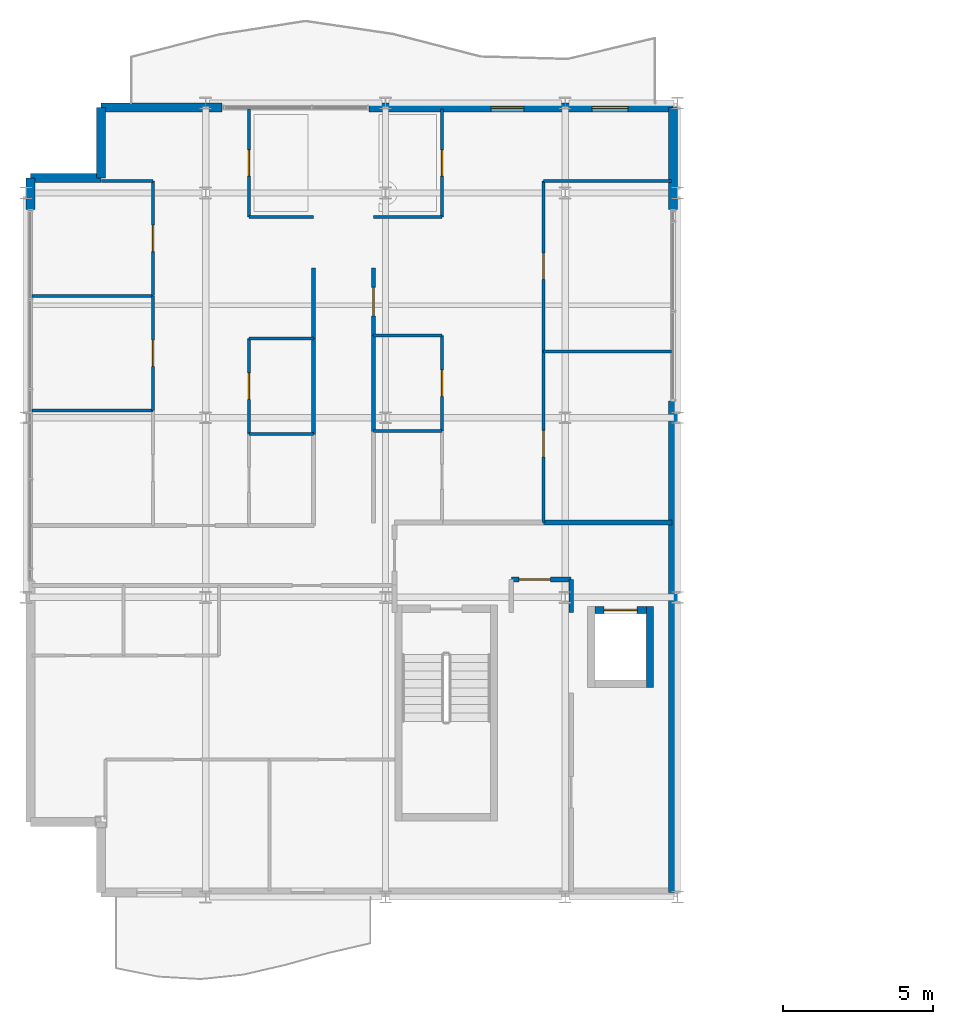
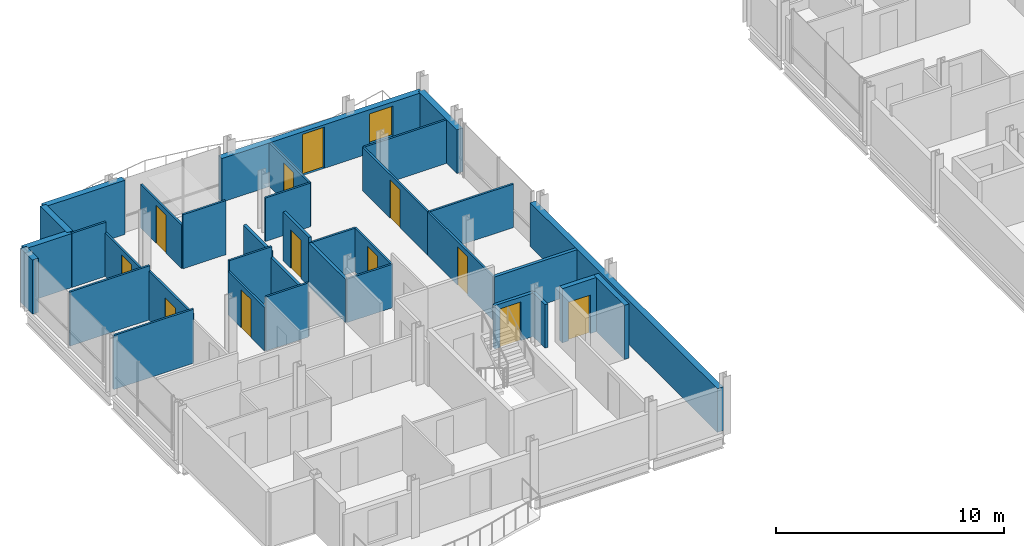
# One storey, part 23 of 27: 35 walls, 12 doors, 1 window, 13 openings.
"""IFC4 building model written with IfcOpenShell, lengths in metres."""

from ifc_helpers import new_model, si_unit, direction, frame, frame_2d, origin, place, context, subcontext, project, spatial, rectangle, extrude, material, layer, layer_set, type_object, element, fill, save


model = new_model("IFC4")

# Units and contexts
model_context = context("Model", 3, precision=1e-05, world=origin(), true_north=direction((0.0, 1.0)))
body_context = subcontext(model_context, "Body", "Model", "MODEL_VIEW")
ifc_project = project(units=[si_unit("LENGTHUNIT", "METRE"), si_unit("AREAUNIT", "SQUARE_METRE"), si_unit("VOLUMEUNIT", "CUBIC_METRE"), si_unit("PLANEANGLEUNIT", "RADIAN"), si_unit("MASSUNIT", "GRAM", prefix="KILO")], contexts=[model_context])

# Site, building, storey
site_placement = place(None, origin())
site = spatial("IfcSite", under=ifc_project, at=site_placement, CompositionType="ELEMENT")
building_placement = place(site_placement, origin())
building = spatial("IfcBuilding", under=site, at=building_placement, Name="Brevholm Reach", CompositionType="ELEMENT")
storey_placement = place(building_placement, frame((0.0, 0.0, 195.60009765625)))
storey = spatial("IfcBuildingStorey", under=building, at=storey_placement, Name="L59", CompositionType="ELEMENT", Elevation=195.60009765625)

# Wall
ifc_material_1 = material(Name="Concrete C45/55", Category="concrete")
ifc_layer_1 = layer(ifc_material_1, 0.239990234375)
ifc_layer_set_1 = layer_set([ifc_layer_1], Name="Concrete C45/55")
wall_type_1 = type_object("IfcWallType", Name="WAL-COR-240", PredefinedType="SHEAR", material=ifc_layer_set_1)
wall_1_placement = place(storey_placement, frame((20.830078125, 7.0, 0.0), z_axis=(0.0, 0.0, 1.0), x_axis=(0.0, 1.0, 0.0)))
element("IfcWall", 1, at=wall_1_placement, inside=storey, type_object=wall_type_1, Name="L59 Lift FFL-1 Shaft Wall E", PredefinedType="SHEAR", context=body_context, shape_type="SweptSolid", body=[
    extrude(rectangle(XDim=2.699951171875, YDim=0.239990234375, at=frame_2d((1.35009765625, 0.0))), origin(), (0.0, 0.0, 1.0), 2.889892578125),
])

# Wall, opening, door
wall_2_placement = place(storey_placement, frame((18.989990234375, 9.580078125, 0.0), z_axis=(0.0, 0.0, 1.0), x_axis=(1.0, 0.0, 0.0)))
wall_2 = element("IfcWall", 2, at=wall_2_placement, inside=storey, type_object=wall_type_1, Name="L59 Lift FFL-1 Shaft Wall N", PredefinedType="SHEAR", context=body_context, shape_type="SweptSolid", body=[
    extrude(rectangle(XDim=1.719970703125, YDim=0.239990234375, at=frame_2d((0.85986328125, 0.0))), origin(), (0.0, 0.0, 1.0), 2.889892578125),
])
opening_1_placement = place(wall_2_placement, frame((0.31005859375, 0.0, 0.0)))
opening_1 = element("IfcOpeningElement", 3, at=opening_1_placement, cuts=wall_2, Name="Opening LD-FFL-1", PredefinedType="OPENING", context=body_context, shape_type="SweptSolid", body=[
    extrude(rectangle(XDim=1.10009765625, YDim=2.06005859375, at=frame_2d((0.550048828125, 1.030029296875))), frame((0.0, 0.1298828125, 0.0), z_axis=(0.0, -1.0, 0.0), x_axis=(1.0, 0.0, 0.0)), (0.0, 0.0, 1.0), 0.260009765625),
])
ifc_material_2 = material(Name="Brushed Stainless Steel Fire-Rated Sliding Lift Door", Category="steel")
door_type_1 = type_object("IfcDoorType", Name="DOR-LFT-1100", OperationType="NOTDEFINED", PredefinedType="DOOR", material=ifc_material_2)
door_1_placement = place(opening_1_placement, origin())
door_1 = element("IfcDoor", 4, at=door_1_placement, inside=storey, type_object=door_type_1, Name="L59 Lift FFL-1 Sliding Landing Door", OperationType="SLIDING_TO_LEFT", OverallHeight=2.06005859375, OverallWidth=1.10009765625, PredefinedType="DOOR", context=body_context, shape_type="SweptSolid", body=[
    extrude(rectangle(XDim=1.10009765625, YDim=2.06005859375, at=frame_2d((0.550048828125, 1.030029296875))), frame((0.0, 0.02490234375, 0.0), z_axis=(0.0, -1.0, 0.0), x_axis=(1.0, 0.0, 0.0)), (0.0, 0.0, 1.0), 0.050048828125),
])
fill(opening_1, door_1)

# Walls
ifc_material_3 = material(Name="Concrete C40/50", Category="concrete")
ifc_layer_2 = layer(ifc_material_3, 0.300048828125)
ifc_layer_set_2 = layer_set([ifc_layer_2], Name="Concrete C40/50")
wall_type_2 = type_object("IfcWallType", Name="WAL-EXT-300", PredefinedType="STANDARD", material=ifc_layer_set_2)
for number, where, z_axis, x_axis, name in (
    (5, (2.5, 26.35009765625, 0.0), (0.0, 0.0, 1.0), (0.0, -1.0, 0.0), "L59 Facade Wall WAL-L59-WW-CNW1"),
    (6, (2.5, 24.0, 0.0), (0.0, 0.0, 1.0), (-1.0, 0.0, 0.0), "L59 Facade Wall WAL-L59-WW-CNW2"),
):
    element("IfcWall", number, at=place(storey_placement, frame(where, z_axis=z_axis, x_axis=x_axis)), inside=storey, type_object=wall_type_2, Name=name, PredefinedType="STANDARD", context=body_context, shape_type="SweptSolid", body=[
        extrude(rectangle(XDim=2.35009765625, YDim=0.300048828125, at=frame_2d((1.175048828125, 0.0))), origin(), (0.0, 0.0, 1.0), 2.889892578125),
    ])
wall_3_placement = place(storey_placement, frame((0.14990234375, 24.0, 0.0), z_axis=(0.0, 0.0, 1.0), x_axis=(0.0, -1.0, 0.0)))
element("IfcWall", 7, at=wall_3_placement, inside=storey, type_object=wall_type_2, Name="L59 Facade Wall WAL-L59-WW-WN", PredefinedType="STANDARD", context=body_context, shape_type="SweptSolid", body=[
    extrude(rectangle(XDim=1.050048828125, YDim=0.300048828125, at=frame_2d((0.52490234375, 0.0))), origin(), (0.0, 0.0, 1.0), 2.889892578125),
])
wall_4_placement = place(storey_placement, frame((2.5, 26.35009765625, 0.0), z_axis=(0.0, 0.0, 1.0), x_axis=(1.0, 0.0, 0.0)))
element("IfcWall", 8, at=wall_4_placement, inside=storey, type_object=wall_type_2, Name="L59 Facade Wall WAL-L59-WW-NP1", PredefinedType="STANDARD", context=body_context, shape_type="SweptSolid", body=[
    extrude(rectangle(XDim=4.050048828125, YDim=0.300048828125, at=frame_2d((2.02490234375, 0.0))), origin(), (0.0, 0.0, 1.0), 2.889892578125),
])

# Wall, openings, door, window
wall_5_placement = place(storey_placement, frame((11.449951171875, 26.35009765625, 0.0), z_axis=(0.0, 0.0, 1.0), x_axis=(1.0, 0.0, 0.0)))
wall_5 = element("IfcWall", 9, at=wall_5_placement, inside=storey, type_object=wall_type_2, Name="L59 Facade Wall WAL-L59-WW-NP2", PredefinedType="STANDARD", context=body_context, shape_type="SweptSolid", body=[
    extrude(rectangle(XDim=10.150146484375, YDim=0.300048828125, at=frame_2d((5.0751953125, 0.0))), origin(), (0.0, 0.0, 1.0), 2.331787109375),
])
opening_2_placement = place(wall_5_placement, frame((4.073974609375, 0.0, 0.0)))
opening_2 = element("IfcOpeningElement", 10, at=opening_2_placement, cuts=wall_5, Name="Opening BD-01", PredefinedType="OPENING", context=body_context, shape_type="SweptSolid", body=[
    extrude(rectangle(XDim=1.10009765625, YDim=2.199951171875, at=frame_2d((0.550048828125, 1.10009765625))), frame((0.0, 0.159912109375, 0.0), z_axis=(0.0, -1.0, 0.0), x_axis=(1.0, 0.0, 0.0)), (0.0, 0.0, 1.0), 0.320068359375),
])
opening_3_placement = place(wall_5_placement, frame((7.449951171875, 0.0, 0.511962890625)))
opening_3 = element("IfcOpeningElement", 11, at=opening_3_placement, cuts=wall_5, Name="Opening WN-08", PredefinedType="OPENING", context=body_context, shape_type="SweptSolid", body=[
    extrude(rectangle(XDim=1.199951171875, YDim=1.60009765625, at=frame_2d((0.60009765625, 0.800048828125))), frame((0.0, 0.159912109375, 0.0), z_axis=(0.0, -1.0, 0.0), x_axis=(1.0, 0.0, 0.0)), (0.0, 0.0, 1.0), 0.320068359375),
])
ifc_material_4 = material(Name="Dark Anodised Aluminium and Triple-Glazed Glass", Category="aluminium")
door_type_2 = type_object("IfcDoorType", Name="DOR-BALC-1100", OperationType="NOTDEFINED", PredefinedType="DOOR", material=ifc_material_4)
door_2_placement = place(opening_2_placement, origin())
door_2 = element("IfcDoor", 12, at=door_2_placement, inside=storey, type_object=door_type_2, Name="L59 Exterior Door DOR-L59-BL-NW", OperationType="SINGLE_SWING_LEFT", OverallHeight=2.199951171875, OverallWidth=1.10009765625, PredefinedType="DOOR", context=body_context, shape_type="SweptSolid", body=[
    extrude(rectangle(XDim=1.10009765625, YDim=2.199951171875, at=frame_2d((0.550048828125, 1.10009765625))), frame((0.0, 0.02490234375, 0.0), z_axis=(0.0, -1.0, 0.0), x_axis=(1.0, 0.0, 0.0)), (0.0, 0.0, 1.0), 0.050048828125),
])
fill(opening_2, door_2)
ifc_material_5 = material(Name="Dark Anodised Aluminium and Solar-Control IGU Glass", Category="aluminium")
window_type = type_object("IfcWindowType", Name="WIN-RES-1200", PartitioningType="SINGLE_PANEL", PredefinedType="WINDOW", material=ifc_material_5)
window_placement = place(opening_3_placement, origin())
window = element("IfcWindow", 13, at=window_placement, inside=storey, type_object=window_type, Name="L59 Window WIN-L59-WW-NP2", OverallHeight=1.60009765625, OverallWidth=1.199951171875, PartitioningType="SINGLE_PANEL", PredefinedType="WINDOW", context=body_context, shape_type="SweptSolid", body=[
    extrude(rectangle(XDim=1.199951171875, YDim=1.60009765625, at=frame_2d((0.60009765625, 0.800048828125))), frame((0.0, 0.030029296875, 0.0), z_axis=(0.0, -1.0, 0.0), x_axis=(1.0, 0.0, 0.0)), (0.0, 0.0, 1.0), 0.06005859375),
])
fill(opening_3, window)

# Walls
wall_6_placement = place(storey_placement, frame((21.60009765625, 0.14990234375, 0.0), z_axis=(0.0, 0.0, 1.0), x_axis=(0.0, 1.0, 0.0)))
element("IfcWall", 14, at=wall_6_placement, inside=storey, type_object=wall_type_2, Name="L59 Facade Wall WAL-L59-VP-WS", PredefinedType="STANDARD", context=body_context, shape_type="SweptSolid", body=[
    extrude(rectangle(XDim=16.400146484375, YDim=0.300048828125, at=frame_2d((8.2001953125, 0.0))), origin(), (0.0, 0.0, 1.0), 2.331787109375),
])
wall_7_placement = place(storey_placement, frame((21.60009765625, 22.949951171875, 0.0), z_axis=(0.0, 0.0, 1.0), x_axis=(0.0, 1.0, 0.0)))
element("IfcWall", 15, at=wall_7_placement, inside=storey, type_object=wall_type_2, Name="L59 Facade Wall WAL-L59-VP-WN", PredefinedType="STANDARD", context=body_context, shape_type="SweptSolid", body=[
    extrude(rectangle(XDim=3.400146484375, YDim=0.300048828125, at=frame_2d((1.7001953125, 0.0))), origin(), (0.0, 0.0, 1.0), 2.331787109375),
])
ifc_material_6 = material(Name="Moisture-Resistant Acoustic Gypsum Stud Partition 100 mm", Category="gypsum")
ifc_layer_3 = layer(ifc_material_6, 0.10009765625)
ifc_layer_set_3 = layer_set([ifc_layer_3], Name="Moisture-Resistant Acoustic Gypsum Stud Partition 100 mm")
wall_type_3 = type_object("IfcWallType", Name="WAL-PRT-100", PredefinedType="PARTITIONING", material=ifc_layer_set_3)
for number, where, z_axis, x_axis, name in (
    (16, (7.43798828125, 15.449951171875, 0.0), (0.0, 0.0, 1.0), (1.0, 0.0, 0.0), "L59 Internal Partition 044"),
    (17, (7.43798828125, 18.64990234375, 0.0), (0.0, 0.0, 1.0), (1.0, 0.0, 0.0), "L59 Internal Partition 046"),
):
    element("IfcWall", number, at=place(storey_placement, frame(where, z_axis=z_axis, x_axis=x_axis)), inside=storey, type_object=wall_type_3, Name=name, PredefinedType="PARTITIONING", context=body_context, shape_type="SweptSolid", body=[
        extrude(rectangle(XDim=2.157958984375, YDim=0.10009765625, at=frame_2d((1.0791015625, 0.0))), origin(), (0.0, 0.0, 1.0), 2.889892578125),
    ])

# Wall, opening, door
wall_8_placement = place(storey_placement, frame((7.43798828125, 15.4541015625, 0.0), z_axis=(0.0, 0.0, 1.0), x_axis=(0.0, 1.0, 0.0)))
wall_8 = element("IfcWall", 18, at=wall_8_placement, inside=storey, type_object=wall_type_3, Name="L59 Internal Partition 047", PredefinedType="PARTITIONING", context=body_context, shape_type="SweptSolid", body=[
    extrude(rectangle(XDim=3.19580078125, YDim=0.10009765625, at=frame_2d((1.597900390625, 0.0))), origin(), (0.0, 0.0, 1.0), 2.325439453125),
])
opening_4_placement = place(wall_8_placement, frame((1.157958984375, 0.0, 0.0)))
opening_4 = element("IfcOpeningElement", 19, at=opening_4_placement, cuts=wall_8, Name="Opening ID-01", PredefinedType="OPENING", context=body_context, shape_type="SweptSolid", body=[
    extrude(rectangle(XDim=0.8798828125, YDim=2.0400390625, at=frame_2d((0.43994140625, 1.02001953125))), frame((0.0, 0.06005859375, 0.0), z_axis=(0.0, -1.0, 0.0), x_axis=(1.0, 0.0, 0.0)), (0.0, 0.0, 1.0), 0.1201171875),
])
ifc_material_7 = material(Name="Lacquered Ash Solid-Core Acoustic Internal Door", Category="timber")
door_type_3 = type_object("IfcDoorType", Name="DOR-INT-880", OperationType="NOTDEFINED", PredefinedType="DOOR", material=ifc_material_7)
door_3_placement = place(opening_4_placement, origin())
door_3 = element("IfcDoor", 20, at=door_3_placement, inside=storey, type_object=door_type_3, Name="L59 Internal Door 019", OperationType="SINGLE_SWING_LEFT", OverallHeight=2.0400390625, OverallWidth=0.8798828125, PredefinedType="DOOR", context=body_context, shape_type="SweptSolid", body=[
    extrude(rectangle(XDim=0.8798828125, YDim=2.0400390625, at=frame_2d((0.43994140625, 1.02001953125))), frame((0.0, 0.02490234375, 0.0), z_axis=(0.0, -1.0, 0.0), x_axis=(1.0, 0.0, 0.0)), (0.0, 0.0, 1.0), 0.050048828125),
])
fill(opening_4, door_3)

# Wall
wall_9_placement = place(storey_placement, frame((7.43798828125, 22.699951171875, 0.0), z_axis=(0.0, 0.0, 1.0), x_axis=(1.0, 0.0, 0.0)))
element("IfcWall", 21, at=wall_9_placement, inside=storey, type_object=wall_type_3, Name="L59 Internal Partition 048", PredefinedType="PARTITIONING", context=body_context, shape_type="SweptSolid", body=[
    extrude(rectangle(XDim=2.162109375, YDim=0.10009765625, at=frame_2d((1.0810546875, 0.0))), origin(), (0.0, 0.0, 1.0), 2.889892578125),
])

# Wall, opening, door
wall_10_placement = place(storey_placement, frame((7.43798828125, 22.699951171875, 0.0), z_axis=(0.0, 0.0, 1.0), x_axis=(0.0, 1.0, 0.0)))
wall_10 = element("IfcWall", 22, at=wall_10_placement, inside=storey, type_object=wall_type_3, Name="L59 Internal Partition 049", PredefinedType="PARTITIONING", context=body_context, shape_type="SweptSolid", body=[
    extrude(rectangle(XDim=3.60009765625, YDim=0.10009765625, at=frame_2d((1.800048828125, 0.0))), origin(), (0.0, 0.0, 1.0), 2.325439453125),
])
opening_5_placement = place(wall_10_placement, frame((1.360107421875, 0.0, 0.0)))
opening_5 = element("IfcOpeningElement", 23, at=opening_5_placement, cuts=wall_10, Name="Opening ID-01", PredefinedType="OPENING", context=body_context, shape_type="SweptSolid", body=[
    extrude(rectangle(XDim=0.8798828125, YDim=2.0400390625, at=frame_2d((0.43994140625, 1.02001953125))), frame((0.0, 0.06005859375, 0.0), z_axis=(0.0, -1.0, 0.0), x_axis=(1.0, 0.0, 0.0)), (0.0, 0.0, 1.0), 0.1201171875),
])
door_4_placement = place(opening_5_placement, origin())
door_4 = element("IfcDoor", 24, at=door_4_placement, inside=storey, type_object=door_type_3, Name="L59 Internal Door 020", OperationType="SINGLE_SWING_RIGHT", OverallHeight=2.0400390625, OverallWidth=0.8798828125, PredefinedType="DOOR", context=body_context, shape_type="SweptSolid", body=[
    extrude(rectangle(XDim=0.8798828125, YDim=2.0400390625, at=frame_2d((0.43994140625, 1.02001953125))), frame((0.0, 0.02490234375, 0.0), z_axis=(0.0, -1.0, 0.0), x_axis=(1.0, 0.0, 0.0)), (0.0, 0.0, 1.0), 0.050048828125),
])
fill(opening_5, door_4)

# Walls
for number, where, z_axis, x_axis, name in (
    (25, (0.199951171875, 16.23291015625, 0.0), (0.0, 0.0, 1.0), (1.0, 0.0, 0.0), "L59 Internal Partition 050"),
    (26, (0.199951171875, 20.06591796875, 0.0), (0.0, 0.0, 1.0), (1.0, 0.0, 0.0), "L59 Internal Partition 052"),
):
    element("IfcWall", number, at=place(storey_placement, frame(where, z_axis=z_axis, x_axis=x_axis)), inside=storey, type_object=wall_type_3, Name=name, PredefinedType="PARTITIONING", context=body_context, shape_type="SweptSolid", body=[
        extrude(rectangle(XDim=4.0419921875, YDim=0.10009765625, at=frame_2d((2.02099609375, 0.0))), origin(), (0.0, 0.0, 1.0), 2.889892578125),
    ])

# Wall, opening, door
wall_11_placement = place(storey_placement, frame((4.241943359375, 16.237060546875, 0.0), z_axis=(0.0, 0.0, 1.0), x_axis=(0.0, 1.0, 0.0)))
wall_11 = element("IfcWall", 27, at=wall_11_placement, inside=storey, type_object=wall_type_3, Name="L59 Internal Partition 053", PredefinedType="PARTITIONING", context=body_context, shape_type="SweptSolid", body=[
    extrude(rectangle(XDim=3.828857421875, YDim=0.10009765625, at=frame_2d((1.91455078125, 0.0))), origin(), (0.0, 0.0, 1.0), 2.613525390625),
])
opening_6_placement = place(wall_11_placement, frame((1.474609375, 0.0, 0.0)))
opening_6 = element("IfcOpeningElement", 28, at=opening_6_placement, cuts=wall_11, Name="Opening ID-01", PredefinedType="OPENING", context=body_context, shape_type="SweptSolid", body=[
    extrude(rectangle(XDim=0.8798828125, YDim=2.0400390625, at=frame_2d((0.43994140625, 1.02001953125))), frame((0.0, 0.06005859375, 0.0), z_axis=(0.0, -1.0, 0.0), x_axis=(1.0, 0.0, 0.0)), (0.0, 0.0, 1.0), 0.1201171875),
])
door_5_placement = place(opening_6_placement, origin())
door_5 = element("IfcDoor", 29, at=door_5_placement, inside=storey, type_object=door_type_3, Name="L59 Internal Door 022", OperationType="SINGLE_SWING_RIGHT", OverallHeight=2.0400390625, OverallWidth=0.8798828125, PredefinedType="DOOR", context=body_context, shape_type="SweptSolid", body=[
    extrude(rectangle(XDim=0.8798828125, YDim=2.0400390625, at=frame_2d((0.43994140625, 1.02001953125))), frame((0.0, 0.02490234375, 0.0), z_axis=(0.0, -1.0, 0.0), x_axis=(1.0, 0.0, 0.0)), (0.0, 0.0, 1.0), 0.050048828125),
])
fill(opening_6, door_5)

# Wall
wall_12_placement = place(storey_placement, frame((2.52001953125, 23.89892578125, 0.0), z_axis=(0.0, 0.0, 1.0), x_axis=(1.0, 0.0, 0.0)))
element("IfcWall", 30, at=wall_12_placement, inside=storey, type_object=wall_type_3, Name="L59 Internal Partition 054", PredefinedType="PARTITIONING", context=body_context, shape_type="SweptSolid", body=[
    extrude(rectangle(XDim=1.721923828125, YDim=0.10009765625, at=frame_2d((0.86083984375, 0.0))), origin(), (0.0, 0.0, 1.0), 2.889892578125),
])

# Wall, opening, door
wall_13_placement = place(storey_placement, frame((4.241943359375, 20.070068359375, 0.0), z_axis=(0.0, 0.0, 1.0), x_axis=(0.0, 1.0, 0.0)))
wall_13 = element("IfcWall", 31, at=wall_13_placement, inside=storey, type_object=wall_type_3, Name="L59 Internal Partition 055", PredefinedType="PARTITIONING", context=body_context, shape_type="SweptSolid", body=[
    extrude(rectangle(XDim=3.828857421875, YDim=0.10009765625, at=frame_2d((1.91455078125, 0.0))), origin(), (0.0, 0.0, 1.0), 2.325439453125),
])
opening_7_placement = place(wall_13_placement, frame((1.474609375, 0.0, 0.0)))
opening_7 = element("IfcOpeningElement", 32, at=opening_7_placement, cuts=wall_13, Name="Opening ID-01", PredefinedType="OPENING", context=body_context, shape_type="SweptSolid", body=[
    extrude(rectangle(XDim=0.8798828125, YDim=2.0400390625, at=frame_2d((0.43994140625, 1.02001953125))), frame((0.0, 0.06005859375, 0.0), z_axis=(0.0, -1.0, 0.0), x_axis=(1.0, 0.0, 0.0)), (0.0, 0.0, 1.0), 0.1201171875),
])
door_6_placement = place(opening_7_placement, origin())
door_6 = element("IfcDoor", 33, at=door_6_placement, inside=storey, type_object=door_type_3, Name="L59 Internal Door 023", OperationType="SINGLE_SWING_LEFT", OverallHeight=2.0400390625, OverallWidth=0.8798828125, PredefinedType="DOOR", context=body_context, shape_type="SweptSolid", body=[
    extrude(rectangle(XDim=0.8798828125, YDim=2.0400390625, at=frame_2d((0.43994140625, 1.02001953125))), frame((0.0, 0.02490234375, 0.0), z_axis=(0.0, -1.0, 0.0), x_axis=(1.0, 0.0, 0.0)), (0.0, 0.0, 1.0), 0.050048828125),
])
fill(opening_7, door_6)

# Wall
wall_14_placement = place(storey_placement, frame((11.60400390625, 15.550048828125, 0.0), z_axis=(0.0, 0.0, 1.0), x_axis=(1.0, 0.0, 0.0)))
element("IfcWall", 34, at=wall_14_placement, inside=storey, type_object=wall_type_3, Name="L59 Internal Partition 056", PredefinedType="PARTITIONING", context=body_context, shape_type="SweptSolid", body=[
    extrude(rectangle(XDim=2.284912109375, YDim=0.10009765625, at=frame_2d((1.142578125, 0.0))), origin(), (0.0, 0.0, 1.0), 2.325439453125),
])

# Wall, opening, door
wall_15_placement = place(storey_placement, frame((13.888916015625, 15.553955078125, 0.0), z_axis=(0.0, 0.0, 1.0), x_axis=(0.0, 1.0, 0.0)))
wall_15 = element("IfcWall", 35, at=wall_15_placement, inside=storey, type_object=wall_type_3, Name="L59 Internal Partition 058", PredefinedType="PARTITIONING", context=body_context, shape_type="SweptSolid", body=[
    extrude(rectangle(XDim=3.196044921875, YDim=0.10009765625, at=frame_2d((1.59814453125, 0.0))), origin(), (0.0, 0.0, 1.0), 2.325439453125),
])
opening_8_placement = place(wall_15_placement, frame((1.157958984375, 0.0, 0.0)))
opening_8 = element("IfcOpeningElement", 36, at=opening_8_placement, cuts=wall_15, Name="Opening ID-01", PredefinedType="OPENING", context=body_context, shape_type="SweptSolid", body=[
    extrude(rectangle(XDim=0.8798828125, YDim=2.0400390625, at=frame_2d((0.43994140625, 1.02001953125))), frame((0.0, 0.06005859375, 0.0), z_axis=(0.0, -1.0, 0.0), x_axis=(1.0, 0.0, 0.0)), (0.0, 0.0, 1.0), 0.1201171875),
])
door_7_placement = place(opening_8_placement, origin())
door_7 = element("IfcDoor", 37, at=door_7_placement, inside=storey, type_object=door_type_3, Name="L59 Internal Door 025", OperationType="SINGLE_SWING_LEFT", OverallHeight=2.0400390625, OverallWidth=0.8798828125, PredefinedType="DOOR", context=body_context, shape_type="SweptSolid", body=[
    extrude(rectangle(XDim=0.8798828125, YDim=2.0400390625, at=frame_2d((0.43994140625, 1.02001953125))), frame((0.0, 0.02490234375, 0.0), z_axis=(0.0, -1.0, 0.0), x_axis=(1.0, 0.0, 0.0)), (0.0, 0.0, 1.0), 0.050048828125),
])
fill(opening_8, door_7)

# Walls
wall_16_placement = place(storey_placement, frame((11.60400390625, 18.75, 0.0), z_axis=(0.0, 0.0, 1.0), x_axis=(1.0, 0.0, 0.0)))
element("IfcWall", 38, at=wall_16_placement, inside=storey, type_object=wall_type_3, Name="L59 Internal Partition 059", PredefinedType="PARTITIONING", context=body_context, shape_type="SweptSolid", body=[
    extrude(rectangle(XDim=2.284912109375, YDim=0.10009765625, at=frame_2d((1.142578125, 0.0))), origin(), (0.0, 0.0, 1.0), 2.325439453125),
])
wall_17_placement = place(storey_placement, frame((11.60009765625, 22.699951171875, 0.0), z_axis=(0.0, 0.0, 1.0), x_axis=(1.0, 0.0, 0.0)))
element("IfcWall", 39, at=wall_17_placement, inside=storey, type_object=wall_type_3, Name="L59 Internal Partition 060", PredefinedType="PARTITIONING", context=body_context, shape_type="SweptSolid", body=[
    extrude(rectangle(XDim=2.288818359375, YDim=0.10009765625, at=frame_2d((1.14453125, 0.0))), origin(), (0.0, 0.0, 1.0), 2.325439453125),
])

# Wall, opening, door
wall_18_placement = place(storey_placement, frame((13.888916015625, 22.699951171875, 0.0), z_axis=(0.0, 0.0, 1.0), x_axis=(0.0, 1.0, 0.0)))
wall_18 = element("IfcWall", 40, at=wall_18_placement, inside=storey, type_object=wall_type_3, Name="L59 Internal Partition 061", PredefinedType="PARTITIONING", context=body_context, shape_type="SweptSolid", body=[
    extrude(rectangle(XDim=3.60009765625, YDim=0.10009765625, at=frame_2d((1.800048828125, 0.0))), origin(), (0.0, 0.0, 1.0), 2.325439453125),
])
opening_9_placement = place(wall_18_placement, frame((1.360107421875, 0.0, 0.0)))
opening_9 = element("IfcOpeningElement", 41, at=opening_9_placement, cuts=wall_18, Name="Opening ID-01", PredefinedType="OPENING", context=body_context, shape_type="SweptSolid", body=[
    extrude(rectangle(XDim=0.8798828125, YDim=2.0400390625, at=frame_2d((0.43994140625, 1.02001953125))), frame((0.0, 0.06005859375, 0.0), z_axis=(0.0, -1.0, 0.0), x_axis=(1.0, 0.0, 0.0)), (0.0, 0.0, 1.0), 0.1201171875),
])
door_8_placement = place(opening_9_placement, origin())
door_8 = element("IfcDoor", 42, at=door_8_placement, inside=storey, type_object=door_type_3, Name="L59 Internal Door 026", OperationType="SINGLE_SWING_RIGHT", OverallHeight=2.0400390625, OverallWidth=0.8798828125, PredefinedType="DOOR", context=body_context, shape_type="SweptSolid", body=[
    extrude(rectangle(XDim=0.8798828125, YDim=2.0400390625, at=frame_2d((0.43994140625, 1.02001953125))), frame((0.0, 0.02490234375, 0.0), z_axis=(0.0, -1.0, 0.0), x_axis=(1.0, 0.0, 0.0)), (0.0, 0.0, 1.0), 0.050048828125),
])
fill(opening_9, door_8)

# Wall
wall_19_placement = place(storey_placement, frame((17.27099609375, 18.199951171875, 0.0), z_axis=(0.0, 0.0, 1.0), x_axis=(1.0, 0.0, 0.0)))
element("IfcWall", 43, at=wall_19_placement, inside=storey, type_object=wall_type_3, Name="L59 Internal Partition 062", PredefinedType="PARTITIONING", context=body_context, shape_type="SweptSolid", body=[
    extrude(rectangle(XDim=4.279052734375, YDim=0.10009765625, at=frame_2d((2.1396484375, 0.0))), origin(), (0.0, 0.0, 1.0), 2.325439453125),
])

# Wall, opening, door
wall_20_placement = place(storey_placement, frame((17.27099609375, 12.50390625, 0.0), z_axis=(0.0, 0.0, 1.0), x_axis=(0.0, 1.0, 0.0)))
wall_20 = element("IfcWall", 44, at=wall_20_placement, inside=storey, type_object=wall_type_3, Name="L59 Internal Partition 063", PredefinedType="PARTITIONING", context=body_context, shape_type="SweptSolid", body=[
    extrude(rectangle(XDim=5.696044921875, YDim=0.10009765625, at=frame_2d((2.84814453125, 0.0))), origin(), (0.0, 0.0, 1.0), 2.325439453125),
])
opening_10_placement = place(wall_20_placement, frame((2.18798828125, 0.0, 0.0)))
opening_10 = element("IfcOpeningElement", 45, at=opening_10_placement, cuts=wall_20, Name="Opening ID-01", PredefinedType="OPENING", context=body_context, shape_type="SweptSolid", body=[
    extrude(rectangle(XDim=0.8798828125, YDim=2.0400390625, at=frame_2d((0.43994140625, 1.02001953125))), frame((0.0, 0.06005859375, 0.0), z_axis=(0.0, -1.0, 0.0), x_axis=(1.0, 0.0, 0.0)), (0.0, 0.0, 1.0), 0.1201171875),
])
door_9_placement = place(opening_10_placement, origin())
door_9 = element("IfcDoor", 46, at=door_9_placement, inside=storey, type_object=door_type_3, Name="L59 Internal Door 027", OperationType="SINGLE_SWING_LEFT", OverallHeight=2.0400390625, OverallWidth=0.8798828125, PredefinedType="DOOR", context=body_context, shape_type="SweptSolid", body=[
    extrude(rectangle(XDim=0.8798828125, YDim=2.0400390625, at=frame_2d((0.43994140625, 1.02001953125))), frame((0.0, 0.02490234375, 0.0), z_axis=(0.0, -1.0, 0.0), x_axis=(1.0, 0.0, 0.0)), (0.0, 0.0, 1.0), 0.050048828125),
])
fill(opening_10, door_9)

# Wall
wall_21_placement = place(storey_placement, frame((17.27099609375, 23.89990234375, 0.0), z_axis=(0.0, 0.0, 1.0), x_axis=(1.0, 0.0, 0.0)))
element("IfcWall", 47, at=wall_21_placement, inside=storey, type_object=wall_type_3, Name="L59 Internal Partition 064", PredefinedType="PARTITIONING", context=body_context, shape_type="SweptSolid", body=[
    extrude(rectangle(XDim=4.279052734375, YDim=0.10009765625, at=frame_2d((2.1396484375, 0.0))), origin(), (0.0, 0.0, 1.0), 2.325439453125),
])

# Wall, opening, door
wall_22_placement = place(storey_placement, frame((17.27099609375, 18.2041015625, 0.0), z_axis=(0.0, 0.0, 1.0), x_axis=(0.0, 1.0, 0.0)))
wall_22 = element("IfcWall", 48, at=wall_22_placement, inside=storey, type_object=wall_type_3, Name="L59 Internal Partition 065", PredefinedType="PARTITIONING", context=body_context, shape_type="SweptSolid", body=[
    extrude(rectangle(XDim=5.69580078125, YDim=0.10009765625, at=frame_2d((2.847900390625, 0.0))), origin(), (0.0, 0.0, 1.0), 2.325439453125),
])
opening_11_placement = place(wall_22_placement, frame((2.407958984375, 0.0, 0.0)))
opening_11 = element("IfcOpeningElement", 49, at=opening_11_placement, cuts=wall_22, Name="Opening ID-01", PredefinedType="OPENING", context=body_context, shape_type="SweptSolid", body=[
    extrude(rectangle(XDim=0.8798828125, YDim=2.0400390625, at=frame_2d((0.43994140625, 1.02001953125))), frame((0.0, 0.06005859375, 0.0), z_axis=(0.0, -1.0, 0.0), x_axis=(1.0, 0.0, 0.0)), (0.0, 0.0, 1.0), 0.1201171875),
])
door_10_placement = place(opening_11_placement, origin())
door_10 = element("IfcDoor", 50, at=door_10_placement, inside=storey, type_object=door_type_3, Name="L59 Internal Door 028", OperationType="SINGLE_SWING_RIGHT", OverallHeight=2.0400390625, OverallWidth=0.8798828125, PredefinedType="DOOR", context=body_context, shape_type="SweptSolid", body=[
    extrude(rectangle(XDim=0.8798828125, YDim=2.0400390625, at=frame_2d((0.43994140625, 1.02001953125))), frame((0.0, 0.02490234375, 0.0), z_axis=(0.0, -1.0, 0.0), x_axis=(1.0, 0.0, 0.0)), (0.0, 0.0, 1.0), 0.050048828125),
])
fill(opening_11, door_10)

# Walls
ifc_material_8 = material(Name="Twin-Stud Acoustic Fire-Rated Gypsum Partition 140 mm", Category="gypsum")
ifc_layer_4 = layer(ifc_material_8, 0.139892578125)
ifc_layer_set_4 = layer_set([ifc_layer_4], Name="Twin-Stud Acoustic Fire-Rated Gypsum Partition 140 mm")
wall_type_4 = type_object("IfcWallType", Name="WAL-PRT-140", PredefinedType="PARTITIONING", material=ifc_layer_set_4)
wall_23_placement = place(storey_placement, frame((9.60009765625, 15.442626953125, 0.0), z_axis=(0.0, 0.0, 1.0), x_axis=(0.0, 1.0, 0.0)))
element("IfcWall", 51, at=wall_23_placement, inside=storey, type_object=wall_type_4, Name="L59 Internal Partition 021", PredefinedType="PARTITIONING", context=body_context, shape_type="SweptSolid", body=[
    extrude(rectangle(XDim=3.21875, YDim=0.139892578125, at=frame_2d((1.609375, 0.0))), origin(), (0.0, 0.0, 1.0), 2.325439453125),
])
wall_24_placement = place(storey_placement, frame((9.60009765625, 18.642578125, 0.0), z_axis=(0.0, 0.0, 1.0), x_axis=(0.0, 1.0, 0.0)))
element("IfcWall", 52, at=wall_24_placement, inside=storey, type_object=wall_type_4, Name="L59 Internal Partition 022", PredefinedType="PARTITIONING", context=body_context, shape_type="SweptSolid", body=[
    extrude(rectangle(XDim=2.357421875, YDim=0.139892578125, at=frame_2d((1.1787109375, 0.0))), origin(), (0.0, 0.0, 1.0), 2.613525390625),
])
wall_25_placement = place(storey_placement, frame((11.60009765625, 15.542724609375, 0.0), z_axis=(0.0, 0.0, 1.0), x_axis=(0.0, 1.0, 0.0)))
element("IfcWall", 53, at=wall_25_placement, inside=storey, type_object=wall_type_4, Name="L59 Internal Partition 024", PredefinedType="PARTITIONING", context=body_context, shape_type="SweptSolid", body=[
    extrude(rectangle(XDim=3.218505859375, YDim=0.139892578125, at=frame_2d((1.609375, 0.0))), origin(), (0.0, 0.0, 1.0), 2.325439453125),
])

# Wall, opening, door
wall_26_placement = place(storey_placement, frame((11.60009765625, 18.74267578125, 0.0), z_axis=(0.0, 0.0, 1.0), x_axis=(0.0, 1.0, 0.0)))
wall_26 = element("IfcWall", 54, at=wall_26_placement, inside=storey, type_object=wall_type_4, Name="L59 Internal Partition 025", PredefinedType="PARTITIONING", context=body_context, shape_type="SweptSolid", body=[
    extrude(rectangle(XDim=2.25732421875, YDim=0.139892578125, at=frame_2d((1.128662109375, 0.0))), origin(), (0.0, 0.0, 1.0), 2.613525390625),
])
opening_12_placement = place(wall_26_placement, frame((0.65380859375, 0.0, 0.0)))
opening_12 = element("IfcOpeningElement", 55, at=opening_12_placement, cuts=wall_26, Name="Opening ID-30", PredefinedType="OPENING", context=body_context, shape_type="SweptSolid", body=[
    extrude(rectangle(XDim=0.949951171875, YDim=2.050048828125, at=frame_2d((0.47509765625, 1.02490234375))), frame((0.0, 0.079833984375, 0.0), z_axis=(0.0, -1.0, 0.0), x_axis=(1.0, 0.0, 0.0)), (0.0, 0.0, 1.0), 0.159912109375),
])
ifc_material_9 = material(Name="European Oak Veneered Solid-Core Fire Entrance Door", Category="timber")
door_type_4 = type_object("IfcDoorType", Name="DOR-FLT-FD30S", OperationType="NOTDEFINED", PredefinedType="DOOR", material=ifc_material_9)
door_11_placement = place(opening_12_placement, origin())
door_11 = element("IfcDoor", 56, at=door_11_placement, inside=storey, type_object=door_type_4, Name="L59 Internal Door 009", OperationType="SINGLE_SWING_LEFT", OverallHeight=2.050048828125, OverallWidth=0.949951171875, PredefinedType="DOOR", context=body_context, shape_type="SweptSolid", body=[
    extrude(rectangle(XDim=0.949951171875, YDim=2.050048828125, at=frame_2d((0.47509765625, 1.02490234375))), frame((0.0, 0.02490234375, 0.0), z_axis=(0.0, -1.0, 0.0), x_axis=(1.0, 0.0, 0.0)), (0.0, 0.0, 1.0), 0.050048828125),
])
fill(opening_12, door_11)

# Wall
ifc_material_10 = material(Name="Twin-Frame Fire-Rated Gypsum Board and Mineral Wool 160 mm", Category="gypsum")
ifc_layer_5 = layer(ifc_material_10, 0.159912109375)
ifc_layer_set_5 = layer_set([ifc_layer_5], Name="Twin-Frame Fire-Rated Gypsum Board and Mineral Wool 160 mm")
wall_type_5 = type_object("IfcWallType", Name="WAL-PRT-160", PredefinedType="PARTITIONING", material=ifc_layer_set_5)
wall_27_placement = place(storey_placement, frame((18.199951171875, 9.48876953125, 0.0), z_axis=(0.0, 0.0, 1.0), x_axis=(0.0, 1.0, 0.0)))
element("IfcWall", 57, at=wall_27_placement, inside=storey, type_object=wall_type_5, Name="L59 Internal Partition 003", PredefinedType="PARTITIONING", context=body_context, shape_type="SweptSolid", body=[
    extrude(rectangle(XDim=1.111328125, YDim=0.159912109375, at=frame_2d((0.5556640625, 0.0))), origin(), (0.0, 0.0, 1.0), 2.325439453125),
])

# Wall, opening, door
wall_28_placement = place(storey_placement, frame((16.199951171875, 10.60009765625, 0.0), z_axis=(0.0, 0.0, 1.0), x_axis=(1.0, 0.0, 0.0)))
wall_28 = element("IfcWall", 58, at=wall_28_placement, inside=storey, type_object=wall_type_5, Name="L59 Internal Partition 004", PredefinedType="PARTITIONING", context=body_context, shape_type="SweptSolid", body=[
    extrude(rectangle(XDim=2.0, YDim=0.159912109375, at=frame_2d((1.0, 0.0))), origin(), (0.0, 0.0, 1.0), 2.325439453125),
])
opening_13_placement = place(wall_28_placement, frame((0.2548828125, 0.0, 0.0)))
opening_13 = element("IfcOpeningElement", 59, at=opening_13_placement, cuts=wall_28, Name="Opening FD-01", PredefinedType="OPENING", context=body_context, shape_type="SweptSolid", body=[
    extrude(rectangle(XDim=1.050048828125, YDim=2.06005859375, at=frame_2d((0.52490234375, 1.030029296875))), frame((0.0, 0.08984375, 0.0), z_axis=(0.0, -1.0, 0.0), x_axis=(1.0, 0.0, 0.0)), (0.0, 0.0, 1.0), 0.179931640625),
])
ifc_material_11 = material(Name="Hardwood-Lipped Steel-Core Fire and Smoke Door", Category="steel")
door_type_5 = type_object("IfcDoorType", Name="DOR-INT-FD60S", OperationType="NOTDEFINED", PredefinedType="DOOR", material=ifc_material_11)
door_12_placement = place(opening_13_placement, origin())
door_12 = element("IfcDoor", 60, at=door_12_placement, inside=storey, type_object=door_type_5, Name="L59 Internal Door 002", OperationType="SINGLE_SWING_RIGHT", OverallHeight=2.06005859375, OverallWidth=1.050048828125, PredefinedType="DOOR", context=body_context, shape_type="SweptSolid", body=[
    extrude(rectangle(XDim=1.050048828125, YDim=2.06005859375, at=frame_2d((0.52490234375, 1.030029296875))), frame((0.0, 0.02490234375, 0.0), z_axis=(0.0, -1.0, 0.0), x_axis=(1.0, 0.0, 0.0)), (0.0, 0.0, 1.0), 0.050048828125),
])
fill(opening_13, door_12)

# Wall
wall_29_placement = place(storey_placement, frame((17.259765625, 12.5, 0.0), z_axis=(0.0, 0.0, 1.0), x_axis=(1.0, 0.0, 0.0)))
element("IfcWall", 61, at=wall_29_placement, inside=storey, type_object=wall_type_5, Name="L59 Internal Partition 012", PredefinedType="PARTITIONING", context=body_context, shape_type="SweptSolid", body=[
    extrude(rectangle(XDim=4.301513671875, YDim=0.159912109375, at=frame_2d((2.15087890625, 0.0))), origin(), (0.0, 0.0, 1.0), 2.325439453125),
])

save(model, "model.ifc")
